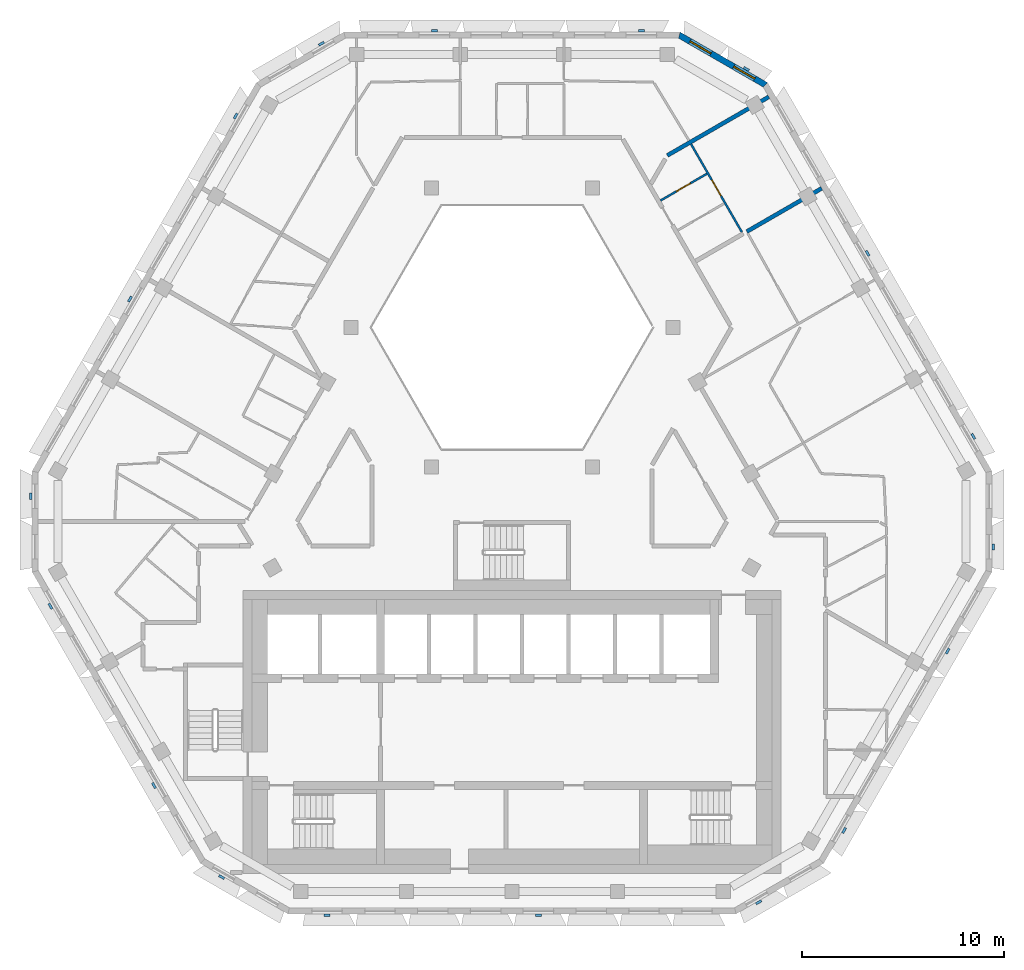
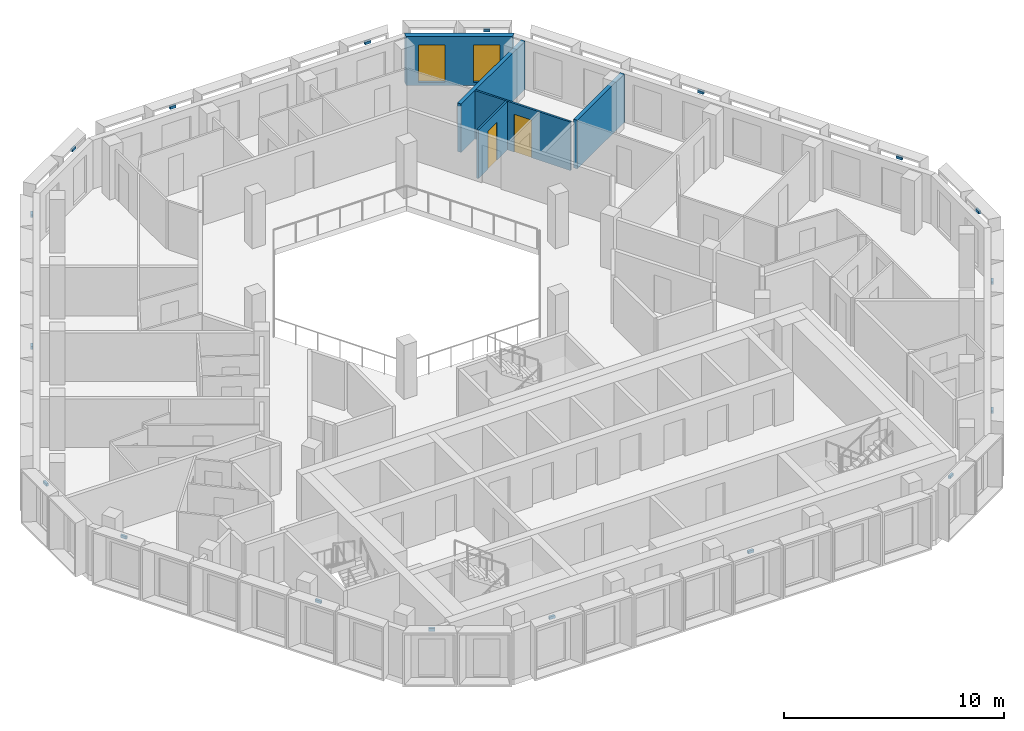
# One storey, part 9 of 16: 18 discrete accessories, 5 walls, 2 doors, 2 windows, 4 openings.
"""IFC4 building model written with IfcOpenShell, lengths in metres."""

from ifc_helpers import new_model, si_unit, direction, frame, frame_2d, origin, place, context, subcontext, project, spatial, polyline, rectangle, outline, extrude, source, transform, mapped, material, layer, layer_set, type_object, type_shapes, element, fill, save


model = new_model("IFC4")

# Units and contexts
model_context = context("Model", 3, precision=1e-05, world=origin(), true_north=direction((0.0, 1.0)))
body_context = subcontext(model_context, "Body", "Model", "MODEL_VIEW")
ifc_project = project(units=[si_unit("LENGTHUNIT", "METRE"), si_unit("AREAUNIT", "SQUARE_METRE"), si_unit("VOLUMEUNIT", "CUBIC_METRE"), si_unit("PLANEANGLEUNIT", "RADIAN"), si_unit("MASSUNIT", "GRAM", prefix="KILO")], contexts=[model_context])

# Site, building, storey
site_placement = place(None, origin())
site = spatial("IfcSite", under=ifc_project, at=site_placement, CompositionType="ELEMENT")
building_placement = place(site_placement, origin())
building = spatial("IfcBuilding", under=site, at=building_placement, Name="Beryl Residences", CompositionType="ELEMENT")
storey_placement = place(building_placement, frame((0.0, 0.0, 208.800048828125)))
storey = spatial("IfcBuildingStorey", under=building, at=storey_placement, Name="L64", CompositionType="ELEMENT", Elevation=208.800048828125)

# Wall, openings, windows
ifc_material_1 = material(Name="Composite metal panel with mineral wool insulation")
ifc_layer_1 = layer(ifc_material_1, 0.300048828125)
ifc_layer_set_1 = layer_set([ifc_layer_1], Name="ES1 pale metal composite panel wall 300 mm")
wall_type_1 = type_object("IfcWallType", Name="ES1 pale metal composite panel wall 300 mm", PredefinedType="SOLIDWALL", material=ifc_layer_set_1)
wall_1_placement = place(storey_placement, frame((12.569091796875, 19.969970703125, 0.0), z_axis=(0.0, 0.0, 1.0), x_axis=(-0.866022959057, 0.500004234368, 0.0)))
wall_1 = element("IfcWall", 1, at=wall_1_placement, inside=storey, type_object=wall_type_1, Name="ES1 external wall L64 NE-N", PredefinedType="SOLIDWALL", context=body_context, shape_type="SweptSolid", body=[
    extrude(outline(polyline([(0.0, -0.14990234375), (5.0, -0.14990234375), (4.919677734375, 0.14990234375), (0.080322265625, 0.14990234375), (0.0, -0.14990234375)])), origin(), (0.0, 0.0, 1.0), 2.699951171875),
])
opening_1_placement = place(wall_1_placement, frame((0.64990234375, 0.0, 0.14990234375)))
opening_1 = element("IfcOpeningElement", 2, at=opening_1_placement, cuts=wall_1, Name="Opening W2", PredefinedType="OPENING", context=body_context, shape_type="SweptSolid", body=[
    extrude(rectangle(XDim=1.199951171875, YDim=2.10009765625, at=frame_2d((0.60009765625, 1.050048828125))), frame((0.0, 0.159912109375, 0.0), z_axis=(0.0, -1.0, 0.0), x_axis=(1.0, 0.0, 0.0)), (0.0, 0.0, 1.0), 0.320068359375),
])
opening_2_placement = place(wall_1_placement, frame((3.14990234375, 0.0, 0.14990234375)))
opening_2 = element("IfcOpeningElement", 3, at=opening_2_placement, cuts=wall_1, Name="Opening W2", PredefinedType="OPENING", context=body_context, shape_type="SweptSolid", body=[
    extrude(rectangle(XDim=1.199951171875, YDim=2.10009765625, at=frame_2d((0.60009765625, 1.050048828125))), frame((0.0, 0.159912109375, 0.0), z_axis=(0.0, -1.0, 0.0), x_axis=(1.0, 0.0, 0.0)), (0.0, 0.0, 1.0), 0.320068359375),
])
ifc_material_2 = material(Name="Aluminium and clear glass", Category="aluminium")
window_type = type_object("IfcWindowType", Name="W2 chamfer window 1200 x 2100 mm", PartitioningType="SINGLE_PANEL", PredefinedType="WINDOW", material=ifc_material_2)
window_1_placement = place(opening_1_placement, origin())
window_1 = element("IfcWindow", 4, at=window_1_placement, inside=storey, type_object=window_type, Name="W2 window L64 NE-N 1", OverallHeight=2.10009765625, OverallWidth=1.199951171875, PartitioningType="SINGLE_PANEL", PredefinedType="WINDOW", context=body_context, shape_type="SweptSolid", body=[
    extrude(rectangle(XDim=1.199951171875, YDim=2.10009765625, at=frame_2d((0.60009765625, 1.050048828125))), frame((0.0, 0.030029296875, 0.0), z_axis=(0.0, -1.0, 0.0), x_axis=(1.0, 0.0, 0.0)), (0.0, 0.0, 1.0), 0.06005859375),
])
fill(opening_1, window_1)
window_2_placement = place(opening_2_placement, origin())
window_2 = element("IfcWindow", 5, at=window_2_placement, inside=storey, type_object=window_type, Name="W2 window L64 NE-N 2", OverallHeight=2.10009765625, OverallWidth=1.199951171875, PartitioningType="SINGLE_PANEL", PredefinedType="WINDOW", context=body_context, shape_type="SweptSolid", body=[
    extrude(rectangle(XDim=1.199951171875, YDim=2.10009765625, at=frame_2d((0.60009765625, 1.050048828125))), frame((0.0, 0.030029296875, 0.0), z_axis=(0.0, -1.0, 0.0), x_axis=(1.0, 0.0, 0.0)), (0.0, 0.0, 1.0), 0.06005859375),
])
fill(opening_2, window_2)

# Wall, opening, door
ifc_material_3 = material(Name="Gypsum board partition on steel studs", Category="steel")
ifc_layer_2 = layer(ifc_material_3, 0.10009765625)
ifc_layer_set_2 = layer_set([ifc_layer_2], Name="PT1 partition 100 mm gypsum board on steel studs")
wall_type_2 = type_object("IfcWallType", Name="PT1 partition 100 mm gypsum board on steel studs", PredefinedType="PARTITIONING", material=ifc_layer_set_2)
wall_2_placement = place(storey_placement, frame((8.85400390625, 17.06396484375, 0.0), z_axis=(0.0, 0.0, 1.0), x_axis=(0.500042049778, -0.866001124973, 0.0)))
wall_2 = element("IfcWall", 6, at=wall_2_placement, inside=storey, type_object=wall_type_2, Name="Wall PT1 L64 006", PredefinedType="PARTITIONING", context=body_context, shape_type="SweptSolid", body=[
    extrude(rectangle(XDim=5.025390625, YDim=0.10009765625, at=frame_2d((2.5126953125, 0.0))), origin(), (0.0, 0.0, 1.0), 2.699951171875),
])
opening_3_placement = place(wall_2_placement, frame((2.06298828125, 0.0, 0.0)))
opening_3 = element("IfcOpeningElement", 7, at=opening_3_placement, cuts=wall_2, Name="Opening D1841", PredefinedType="OPENING", context=body_context, shape_type="SweptSolid", body=[
    extrude(rectangle(XDim=0.89990234375, YDim=2.10009765625, at=frame_2d((0.449951171875, 1.050048828125))), frame((0.0, 0.06005859375, 0.0), z_axis=(0.0, -1.0, 0.0), x_axis=(1.0, 0.0, 0.0)), (0.0, 0.0, 1.0), 0.1201171875),
])
ifc_material_4 = material(Name="Timber door leaf", Category="wood")
door_type_1 = type_object("IfcDoorType", Name="D2 room door 900 x 2100 mm", OperationType="SINGLE_SWING_LEFT", PredefinedType="DOOR", material=ifc_material_4)
door_1_placement = place(opening_3_placement, origin())
door_1 = element("IfcDoor", 8, at=door_1_placement, inside=storey, type_object=door_type_1, Name="Door D1841 L64 001", OperationType="SINGLE_SWING_LEFT", OverallHeight=2.10009765625, OverallWidth=0.89990234375, PredefinedType="DOOR", context=body_context, shape_type="SweptSolid", body=[
    extrude(rectangle(XDim=0.89990234375, YDim=2.10009765625, at=frame_2d((0.449951171875, 1.050048828125))), frame((0.0, 0.02490234375, 0.0), z_axis=(0.0, -1.0, 0.0), x_axis=(1.0, 0.0, 0.0)), (0.0, 0.0, 1.0), 0.050048828125),
])
fill(opening_3, door_1)

wall_3_placement = place(storey_placement, frame((7.346923828125, 14.27392578125, 0.0), z_axis=(0.0, 0.0, 1.0), x_axis=(0.86601223543, 0.500022807565, 0.0)))
wall_3 = element("IfcWall", 9, at=wall_3_placement, inside=storey, type_object=wall_type_2, Name="Wall PT1 L64 050", PredefinedType="PARTITIONING", context=body_context, shape_type="SweptSolid", body=[
    extrude(rectangle(XDim=2.650390625, YDim=0.10009765625, at=frame_2d((1.3251953125, 0.0))), origin(), (0.0, 0.0, 1.0), 2.699951171875),
])
opening_4_placement = place(wall_3_placement, frame((0.89990234375, 0.0, 0.0)))
opening_4 = element("IfcOpeningElement", 10, at=opening_4_placement, cuts=wall_3, Name="Opening D1839", PredefinedType="OPENING", context=body_context, shape_type="SweptSolid", body=[
    extrude(rectangle(XDim=0.800048828125, YDim=2.10009765625, at=frame_2d((0.39990234375, 1.050048828125))), frame((0.0, 0.06005859375, 0.0), z_axis=(0.0, -1.0, 0.0), x_axis=(1.0, 0.0, 0.0)), (0.0, 0.0, 1.0), 0.1201171875),
])
ifc_material_5 = material(Name="Timber door leaf", Category="wood")
door_type_2 = type_object("IfcDoorType", Name="D3 bathroom door 800 x 2100 mm", OperationType="SINGLE_SWING_LEFT", PredefinedType="DOOR", material=ifc_material_5)
door_2_placement = place(opening_4_placement, origin())
door_2 = element("IfcDoor", 11, at=door_2_placement, inside=storey, type_object=door_type_2, Name="Door D1839 L64 001", OperationType="SINGLE_SWING_LEFT", OverallHeight=2.10009765625, OverallWidth=0.800048828125, PredefinedType="DOOR", context=body_context, shape_type="SweptSolid", body=[
    extrude(rectangle(XDim=0.800048828125, YDim=2.10009765625, at=frame_2d((0.39990234375, 1.050048828125))), frame((0.0, 0.02490234375, 0.0), z_axis=(0.0, -1.0, 0.0), x_axis=(1.0, 0.0, 0.0)), (0.0, 0.0, 1.0), 0.050048828125),
])
fill(opening_4, door_2)

# Walls
ifc_material_6 = material(Name="Acoustic double stud gypsum board wall")
ifc_layer_3 = layer(ifc_material_6, 0.199951171875)
ifc_layer_set_3 = layer_set([ifc_layer_3], Name="PT3 party wall 200 mm acoustic double stud")
wall_type_3 = type_object("IfcWallType", Name="PT3 party wall 200 mm acoustic double stud", PredefinedType="PARTITIONING", material=ifc_layer_set_3)
wall_4_placement = place(storey_placement, frame((11.611083984375, 12.737060546875, 0.0), z_axis=(0.0, 0.0, 1.0), x_axis=(0.866017282483, 0.500014066243, 0.0)))
element("IfcWall", 12, at=wall_4_placement, inside=storey, type_object=wall_type_3, Name="Wall PT3 L64 011", PredefinedType="PARTITIONING", context=body_context, shape_type="SweptSolid", body=[
    extrude(rectangle(XDim=4.27587890625, YDim=0.199951171875, at=frame_2d((2.137939453125, 0.0))), origin(), (0.0, 0.0, 1.0), 2.699951171875),
])
wall_5_placement = place(storey_placement, frame((7.679931640625, 16.5009765625, 0.0), z_axis=(0.0, 0.0, 1.0), x_axis=(0.86602149507, 0.500006770031, 0.0)))
element("IfcWall", 13, at=wall_5_placement, inside=storey, type_object=wall_type_3, Name="Wall PT3 L64 012", PredefinedType="PARTITIONING", context=body_context, shape_type="SweptSolid", body=[
    extrude(rectangle(XDim=5.7978515625, YDim=0.199951171875, at=frame_2d((2.89892578125, 0.0))), origin(), (0.0, 0.0, 1.0), 2.699951171875),
])

# Discrete accessories
ifc_material_7 = material(Name="Steel S355", Category="steel")
discrete_accessory_type = type_object("IfcDiscreteAccessoryType", Name="BR1 frame bracket 300 x 120 x 150 mm", PredefinedType="BRACKET", material=ifc_material_7)
shared_shape = source(origin(), body_context, "Body", "SweptSolid", [
    extrude(outline(polyline([(-0.14990234375, 0.0), (0.14990234375, 0.0), (0.14990234375, 0.1201171875), (-0.14990234375, 0.1201171875), (-0.14990234375, 0.0)])), origin(), (0.0, 0.0, 1.0), 0.14990234375),
])
type_shapes(discrete_accessory_type, [shared_shape])
for number, where, z_axis, x_axis, name in (
    (14, (6.39892578125, 22.60009765625, 2.75), (0.0, 0.0, 1.0), (1.0, 0.0, 0.0), "BR1 bracket L64 N 1"),
    (15, (-3.839111328125, 22.60009765625, 2.75), (0.0, 0.0, 1.0), (1.0, 0.0, 0.0), "BR1 bracket L64 N 5"),
    (16, (-9.39599609375, 21.97509765625, 2.75), (0.0, 0.0, 1.0), (0.866025403784, 0.5, 0.0), "BR1 bracket L64 N-NW 1"),
    (17, (-13.614013671875, 18.4189453125, 2.75), (0.0, 0.0, 1.0), (0.5, 0.866025403784, 0.0), "BR1 bracket L64 NW 1"),
    (18, (-18.839111328125, 9.368896484375, 2.75), (0.0, 0.0, 1.0), (0.5, 0.866025403784, 0.0), "BR1 bracket L64 NW 5"),
    (19, (-23.72900390625, -0.35009765625, 2.75), (0.0, 0.0, 1.0), (0.0, 1.0, 0.0), "BR1 bracket L64 NW-SW 1"),
    (20, (-22.77099609375, -5.758056640625, 2.75), (0.0, 0.0, 1.0), (-0.5, 0.866025403784, 0.0), "BR1 bracket L64 SW 1"),
    (21, (-17.653076171875, -14.6240234375, 2.75), (0.0, 0.0, 1.0), (-0.5, 0.866025403784, 0.0), "BR1 bracket L64 SW 5"),
    (22, (-14.33203125, -19.125, 2.75), (0.0, 0.0, 1.0), (-0.866025403784, 0.5, 0.0), "BR1 bracket L64 SW-S 1"),
    (23, (-9.14404296875, -21.0, 2.75), (0.0, 0.0, 1.0), (-1.0, 0.0, 0.0), "BR1 bracket L64 S 1"),
    (24, (1.305908203125, -21.0, 2.75), (0.0, 0.0, 1.0), (-1.0, 0.0, 0.0), "BR1 bracket L64 S 5"),
    (25, (12.16796875, -20.375, 2.75), (0.0, 0.0, 1.0), (-0.866025403784, -0.5, 0.0), "BR1 bracket L64 S-SE 1"),
    (26, (16.373046875, -16.842041015625, 2.75), (0.0, 0.0, 1.0), (-0.5, -0.866025403784, 0.0), "BR1 bracket L64 SE 1"),
    (27, (21.490966796875, -7.97607421875, 2.75), (0.0, 0.0, 1.0), (-0.5, -0.866025403784, 0.0), "BR1 bracket L64 SE 5"),
    (28, (23.72900390625, -2.85009765625, 2.75), (0.0, 0.0, 1.0), (0.0, -1.0, 0.0), "BR1 bracket L64 SE-NE 1"),
    (29, (22.758056640625, 2.5810546875, 2.75), (0.0, 0.0, 1.0), (0.5, -0.866025403784, 0.0), "BR1 bracket L64 NE 1"),
    (30, (17.532958984375, 11.631103515625, 2.75), (0.0, 0.0, 1.0), (0.5, -0.866025403784, 0.0), "BR1 bracket L64 NE 5"),
    (31, (11.56103515625, 20.72509765625, 2.75), (0.0, 0.0, 1.0), (0.866025403784, -0.5, 0.0), "BR1 bracket L64 NE-N 1"),
):
    element("IfcDiscreteAccessory", number, at=place(storey_placement, frame(where, z_axis=z_axis, x_axis=x_axis)), inside=storey, type_object=discrete_accessory_type, Name=name, PredefinedType="BRACKET", context=body_context, shape_type="MappedRepresentation", body=[
        mapped(shared_shape, transform((0.0, 0.0, 0.0))),
    ])

save(model, "model.ifc")
